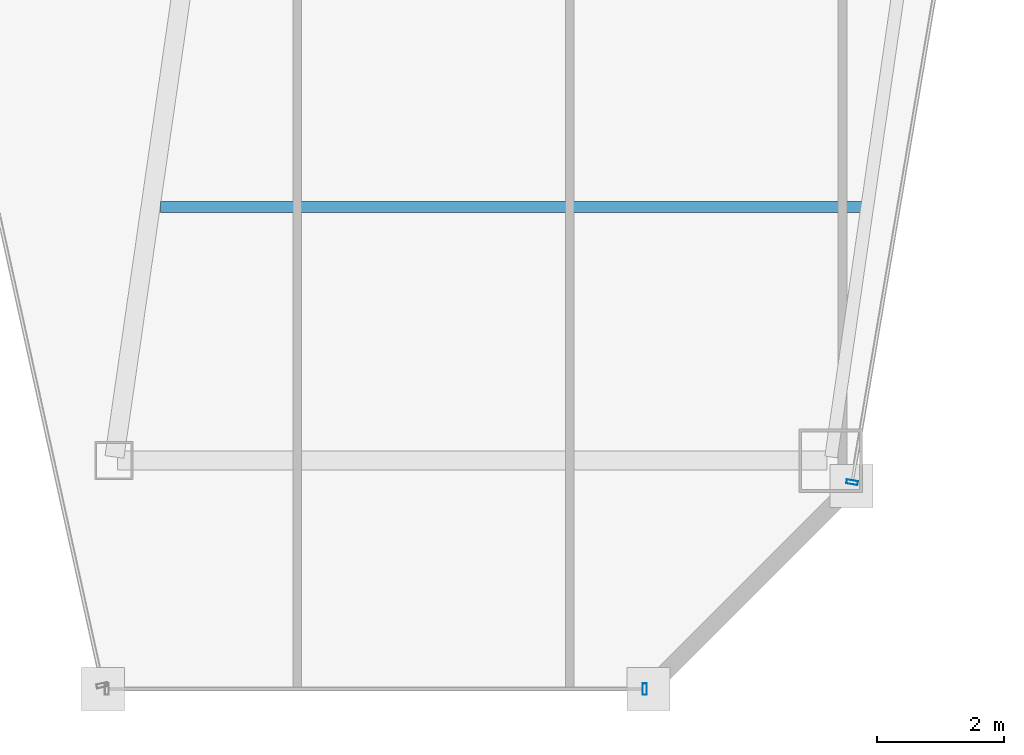
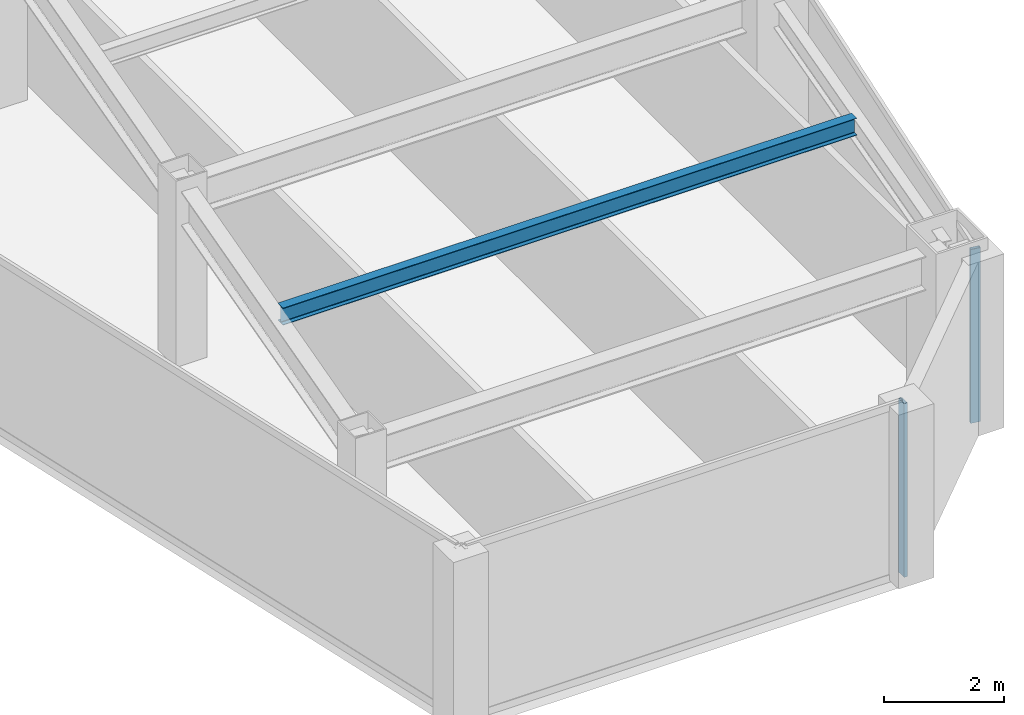
# One storey, part 16 of 36: 2 members, 1 beam, 2 elements without a shape of their own.
"""IFC4 building model written with IfcOpenShell, lengths in metres."""

from ifc_helpers import new_model, si_unit, direction, frame, origin, origin_2d, place, context, subcontext, project, spatial, hollow_rectangle, i_section, extrude, material, material_profile, profile_set, type_object, element, aggregate, save


model = new_model("IFC4")

# Units and contexts
model_context = context("Model", 3, precision=1e-05, world=origin(), true_north=direction((0.0, 1.0)))
body_context = subcontext(model_context, "Body", "Model", "MODEL_VIEW")
ifc_project = project(units=[si_unit("LENGTHUNIT", "METRE"), si_unit("AREAUNIT", "SQUARE_METRE"), si_unit("VOLUMEUNIT", "CUBIC_METRE"), si_unit("PLANEANGLEUNIT", "RADIAN"), si_unit("MASSUNIT", "GRAM", prefix="KILO")], contexts=[model_context])

# Site, building, storey
site_placement = place(None, origin())
site = spatial("IfcSite", under=ifc_project, at=site_placement, CompositionType="ELEMENT")
building_placement = place(site_placement, origin())
building = spatial("IfcBuilding", under=site, at=building_placement, Name="Saevonmaru Cultural Tower", CompositionType="ELEMENT")
storey_placement = place(building_placement, frame((0.0, 0.0, 171.39990234375)))
storey = spatial("IfcBuildingStorey", under=building, at=storey_placement, Name="L38", CompositionType="ELEMENT", Elevation=171.39990234375)

# Beam
ifc_material_1 = material(Name="Steel SM355", Category="steel")
ifc_material_profile_1 = material_profile(ifc_material_1, i_section(OverallWidth=0.175048828125, OverallDepth=0.35009765625, WebThickness=0.007080078125, FlangeThickness=0.010986328125, FilletRadius=0.012939453125, at=origin_2d()), Name="H-350x175x7x11")
ifc_profile_set_1 = profile_set([ifc_material_profile_1], Name="Steel SM355")
beam_type = type_object("IfcBeamType", Name="BM-J-H350", PredefinedType="JOIST", material=ifc_profile_set_1)
beam_placement = place(storey_placement, frame((38.80810546875, 20.0, 3.375), z_axis=(1.0, 0.0, 0.0), x_axis=(0.0, 1.0, 0.0)))
element("IfcBeam", 1, at=beam_placement, inside=storey, type_object=beam_type, Name="L38 East Wing Floor Joist 1", PredefinedType="JOIST", context=body_context, shape_type="SweptSolid", body=[
    extrude(i_section(OverallWidth=0.175048828125, OverallDepth=0.35009765625, WebThickness=0.007080078125, FlangeThickness=0.010986328125, FilletRadius=0.012939453125, at=origin_2d()), origin(), (0.0, 0.0, 1.0), 11.081787109375),
])

# Curtain wall, member
ifc_material_2 = material(Name="Satin Bronze Anodised Aluminium", Category="aluminium")
curtain_wall_type = type_object("IfcCurtainWallType", Name="CW-TYP-A", PredefinedType="NOTDEFINED", material=ifc_material_2)
curtain_wall_1_placement = place(storey_placement, origin())
curtain_wall_1 = element("IfcCurtainWall", 2, at=curtain_wall_1_placement, inside=storey, type_object=curtain_wall_type, Name="L38 Unitised Curtain Wall E6", PredefinedType="NOTDEFINED")
ifc_material_profile_2 = material_profile(ifc_material_2, hollow_rectangle(XDim=0.06494140625, YDim=0.179931640625, WallThickness=0.00390625, at=origin_2d()), Name="ALU-MULL-180x65x4")
ifc_profile_set_2 = profile_set([ifc_material_profile_2], Name="Satin Bronze Anodised Aluminium")
member_type = type_object("IfcMemberType", Name="ML-CW-180x65", PredefinedType="MULLION", material=ifc_profile_set_2)
member_1_placement = place(storey_placement, frame((46.442138671875, 12.39990234375, 0.0), z_axis=(0.0, 0.0, 1.0), x_axis=(1.0, 0.0, 0.0)))
member_1 = element("IfcMember", 3, at=member_1_placement, type_object=member_type, Name="CW-TW-L38-E6 mullion 2", PredefinedType="MULLION", context=body_context, shape_type="SweptSolid", body=[
    extrude(hollow_rectangle(XDim=0.06494140625, YDim=0.179931640625, WallThickness=0.00390625, at=origin_2d()), origin(), (0.0, 0.0, 1.0), 3.550048828125),
])
aggregate(curtain_wall_1, [member_1])

curtain_wall_2_placement = place(storey_placement, origin())
curtain_wall_2 = element("IfcCurtainWall", 4, at=curtain_wall_2_placement, inside=storey, type_object=curtain_wall_type, Name="L38 Unitised Curtain Wall E8", PredefinedType="NOTDEFINED")
member_2_placement = place(storey_placement, frame((49.712158203125, 15.6591796875, 0.0), z_axis=(0.0, 0.0, 1.0), x_axis=(0.16692169721, 0.985970155228, 0.0)))
member_2 = element("IfcMember", 5, at=member_2_placement, type_object=member_type, Name="CW-TW-L38-E8 mullion 1", PredefinedType="MULLION", context=body_context, shape_type="SweptSolid", body=[
    extrude(hollow_rectangle(XDim=0.06494140625, YDim=0.179931640625, WallThickness=0.00390625, at=origin_2d()), origin(), (0.0, 0.0, 1.0), 3.550048828125),
])
aggregate(curtain_wall_2, [member_2])

save(model, "model.ifc")
